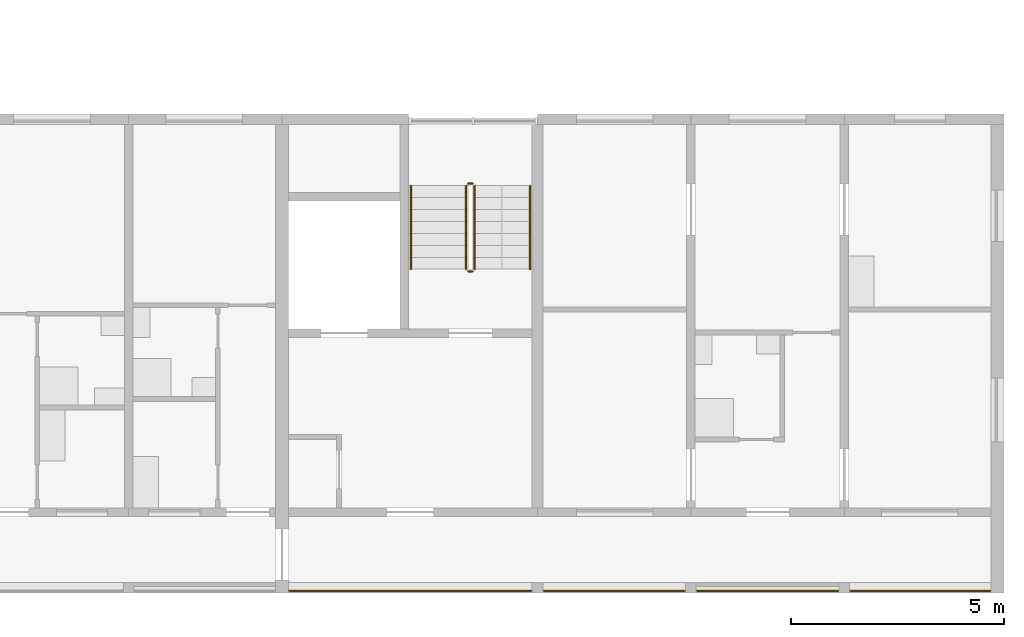
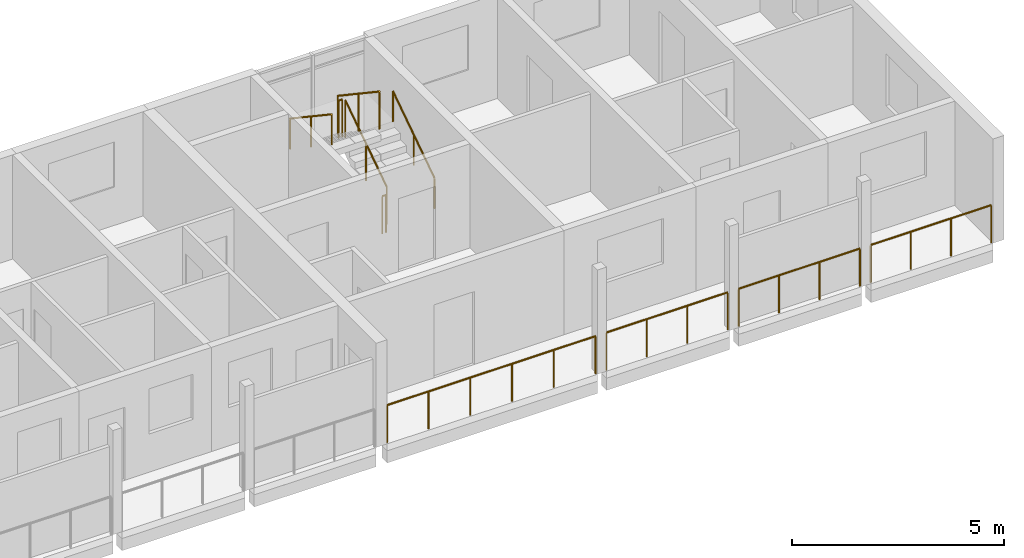
# One storey, part 74 of 78: 10 railings.
"""IFC4 building model written with IfcOpenShell, lengths in metres."""

from ifc_helpers import new_model, si_unit, direction, frame, origin, origin_2d, place, context, subcontext, project, spatial, circle, extrude, material, type_object, element, save


model = new_model("IFC4")

# Units and contexts
model_context = context("Model", 3, precision=1e-05, world=origin(), true_north=direction((0.0, 1.0)))
body_context = subcontext(model_context, "Body", "Model", "MODEL_VIEW")
ifc_project = project(units=[si_unit("LENGTHUNIT", "METRE"), si_unit("AREAUNIT", "SQUARE_METRE"), si_unit("VOLUMEUNIT", "CUBIC_METRE"), si_unit("PLANEANGLEUNIT", "RADIAN"), si_unit("MASSUNIT", "GRAM", prefix="KILO")], contexts=[model_context])

# Site, building, storey
site_placement = place(None, origin())
site = spatial("IfcSite", under=ifc_project, at=site_placement, CompositionType="ELEMENT")
building_placement = place(site_placement, origin())
building = spatial("IfcBuilding", under=site, at=building_placement, Name="Ridgestep Commons", CompositionType="ELEMENT")
storey_placement = place(building_placement, frame((0.0, 0.0, 30.0)))
storey = spatial("IfcBuildingStorey", under=building, at=storey_placement, Name="L10", CompositionType="ELEMENT", Elevation=30.0)

# Railings
ifc_material_1 = material(Name="Structural steel S355JR", Category="steel")
railing_type_1 = type_object("IfcRailingType", Name="Guard 1100", PredefinedType="GUARDRAIL", material=ifc_material_1)
railing_1_placement = place(storey_placement, frame((230.970947265625, 11.800048828125, 0.0)))
element("IfcRailing", 1, at=railing_1_placement, inside=storey, type_object=railing_type_1, Name="Gallery guard D 10.20", PredefinedType="GUARDRAIL", context=body_context, shape_type="SweptSolid", body=[
    extrude(circle(Radius=0.02392578125, at=origin_2d()), frame((0.0, 0.0, 1.076171875), z_axis=(1.0, 0.0, 0.0), x_axis=(0.0, 1.0, 0.0)), (0.0, 0.0, 1.0), 5.68310546875),
    extrude(circle(Radius=0.02099609375, at=origin_2d()), origin(), (0.0, 0.0, 1.0), 1.052001953125),
    extrude(circle(Radius=0.02099609375, at=origin_2d()), frame((1.13671875, 0.0, 0.0)), (0.0, 0.0, 1.0), 1.052001953125),
    extrude(circle(Radius=0.02099609375, at=origin_2d()), frame((2.273193359375, 0.0, 0.0)), (0.0, 0.0, 1.0), 1.052001953125),
    extrude(circle(Radius=0.02099609375, at=origin_2d()), frame((3.409912109375, 0.0, 0.0)), (0.0, 0.0, 1.0), 1.052001953125),
    extrude(circle(Radius=0.02099609375, at=origin_2d()), frame((4.54638671875, 0.0, 0.0)), (0.0, 0.0, 1.0), 1.052001953125),
    extrude(circle(Radius=0.02099609375, at=origin_2d()), frame((5.68310546875, 0.0, 0.0)), (0.0, 0.0, 1.0), 1.052001953125),
])
railing_2_placement = place(storey_placement, frame((236.946044921875, 11.800048828125, 0.0)))
element("IfcRailing", 2, at=railing_2_placement, inside=storey, type_object=railing_type_1, Name="Gallery guard D 10.21", PredefinedType="GUARDRAIL", context=body_context, shape_type="SweptSolid", body=[
    extrude(circle(Radius=0.02392578125, at=origin_2d()), frame((0.0, 0.0, 1.076171875), z_axis=(1.0, 0.0, 0.0), x_axis=(0.0, 1.0, 0.0)), (0.0, 0.0, 1.0), 3.307861328125),
    extrude(circle(Radius=0.02099609375, at=origin_2d()), origin(), (0.0, 0.0, 1.0), 1.052001953125),
    extrude(circle(Radius=0.02099609375, at=origin_2d()), frame((1.1025390625, 0.0, 0.0)), (0.0, 0.0, 1.0), 1.052001953125),
    extrude(circle(Radius=0.02099609375, at=origin_2d()), frame((2.205322265625, 0.0, 0.0)), (0.0, 0.0, 1.0), 1.052001953125),
    extrude(circle(Radius=0.02099609375, at=origin_2d()), frame((3.307861328125, 0.0, 0.0)), (0.0, 0.0, 1.0), 1.052001953125),
])
railing_3_placement = place(storey_placement, frame((240.5458984375, 11.800048828125, 0.0)))
element("IfcRailing", 3, at=railing_3_placement, inside=storey, type_object=railing_type_1, Name="Gallery guard D 10.22", PredefinedType="GUARDRAIL", context=body_context, shape_type="SweptSolid", body=[
    extrude(circle(Radius=0.02392578125, at=origin_2d()), frame((0.0, 0.0, 1.076171875), z_axis=(1.0, 0.0, 0.0), x_axis=(0.0, 1.0, 0.0)), (0.0, 0.0, 1.0), 3.30810546875),
    extrude(circle(Radius=0.02099609375, at=origin_2d()), origin(), (0.0, 0.0, 1.0), 1.052001953125),
    extrude(circle(Radius=0.02099609375, at=origin_2d()), frame((1.102783203125, 0.0, 0.0)), (0.0, 0.0, 1.0), 1.052001953125),
    extrude(circle(Radius=0.02099609375, at=origin_2d()), frame((2.205322265625, 0.0, 0.0)), (0.0, 0.0, 1.0), 1.052001953125),
    extrude(circle(Radius=0.02099609375, at=origin_2d()), frame((3.30810546875, 0.0, 0.0)), (0.0, 0.0, 1.0), 1.052001953125),
])
railing_4_placement = place(storey_placement, frame((244.14599609375, 11.800048828125, 0.0)))
element("IfcRailing", 4, at=railing_4_placement, inside=storey, type_object=railing_type_1, Name="Gallery guard D 10.23", PredefinedType="GUARDRAIL", context=body_context, shape_type="SweptSolid", body=[
    extrude(circle(Radius=0.02392578125, at=origin_2d()), frame((0.0, 0.0, 1.076171875), z_axis=(1.0, 0.0, 0.0), x_axis=(0.0, 1.0, 0.0)), (0.0, 0.0, 1.0), 3.282958984375),
    extrude(circle(Radius=0.02099609375, at=origin_2d()), origin(), (0.0, 0.0, 1.0), 1.052001953125),
    extrude(circle(Radius=0.02099609375, at=origin_2d()), frame((1.09423828125, 0.0, 0.0)), (0.0, 0.0, 1.0), 1.052001953125),
    extrude(circle(Radius=0.02099609375, at=origin_2d()), frame((2.188720703125, 0.0, 0.0)), (0.0, 0.0, 1.0), 1.052001953125),
    extrude(circle(Radius=0.02099609375, at=origin_2d()), frame((3.282958984375, 0.0, 0.0)), (0.0, 0.0, 1.0), 1.052001953125),
])
ifc_material_2 = material(Name="Structural steel S355JR", Category="steel")
railing_type_2 = type_object("IfcRailingType", Name="Stair guard 1100", PredefinedType="GUARDRAIL", material=ifc_material_2)
railing_5_placement = place(storey_placement, frame((235.324951171875, 19.35009765625, 0.1875)))
element("IfcRailing", 5, at=railing_5_placement, inside=storey, type_object=railing_type_2, Name="L10 D6C stair guard 1", PredefinedType="GUARDRAIL", context=body_context, shape_type="SweptSolid", body=[
    extrude(circle(Radius=0.02392578125, at=origin_2d()), frame((0.0, 0.0, 1.076171875), z_axis=(0.0, 0.830902050051, 0.556418712142), x_axis=(-1.0, 0.0, 0.0)), (0.0, 0.0, 1.0), 2.35888671875),
    extrude(circle(Radius=0.02099609375, at=origin_2d()), origin(), (0.0, 0.0, 1.0), 1.052001953125),
    extrude(circle(Radius=0.02099609375, at=origin_2d()), frame((0.0, 0.97998046875, 0.65625)), (0.0, 0.0, 1.0), 1.052001953125),
    extrude(circle(Radius=0.02099609375, at=origin_2d()), frame((0.0, 1.9599609375, 1.3125)), (0.0, 0.0, 1.0), 1.052001953125),
])
railing_6_placement = place(storey_placement, frame((235.27490234375, 21.360107421875, 1.5)))
element("IfcRailing", 6, at=railing_6_placement, inside=storey, type_object=railing_type_2, Name="L10 D6C stair guard 2", PredefinedType="GUARDRAIL", context=body_context, shape_type="SweptSolid", body=[
    extrude(circle(Radius=0.02392578125, at=origin_2d()), frame((0.0, 0.0, 1.076171875), z_axis=(-1.0, 0.0, 0.0), x_axis=(0.0, -1.0, 0.0)), (0.0, 0.0, 1.0), 0.099853515625),
    extrude(circle(Radius=0.02099609375, at=origin_2d()), origin(), (0.0, 0.0, 1.0), 1.052001953125),
    extrude(circle(Radius=0.02099609375, at=origin_2d()), frame((-0.099853515625, 0.0, 0.0)), (0.0, 0.0, 1.0), 1.052001953125),
])
railing_7_placement = place(storey_placement, frame((235.125, 21.31005859375, 1.6875)))
element("IfcRailing", 7, at=railing_7_placement, inside=storey, type_object=railing_type_2, Name="L10 D6C stair guard 3", PredefinedType="GUARDRAIL", context=body_context, shape_type="SweptSolid", body=[
    extrude(circle(Radius=0.02392578125, at=origin_2d()), frame((0.0, 0.0, 1.076171875), z_axis=(0.0, -0.830902050051, 0.556418712142), x_axis=(1.0, 0.0, 0.0)), (0.0, 0.0, 1.0), 2.35888671875),
    extrude(circle(Radius=0.02099609375, at=origin_2d()), origin(), (0.0, 0.0, 1.0), 1.052001953125),
    extrude(circle(Radius=0.02099609375, at=origin_2d()), frame((0.0, -0.97998046875, 0.65625)), (0.0, 0.0, 1.0), 1.052001953125),
    extrude(circle(Radius=0.02099609375, at=origin_2d()), frame((0.0, -1.9599609375, 1.3125)), (0.0, 0.0, 1.0), 1.052001953125),
])
railing_8_placement = place(storey_placement, frame((235.27490234375, 19.300048828125, 0.0)))
element("IfcRailing", 8, at=railing_8_placement, inside=storey, type_object=railing_type_2, Name="L10 D6C stair guard 4", PredefinedType="GUARDRAIL", context=body_context, shape_type="SweptSolid", body=[
    extrude(circle(Radius=0.02392578125, at=origin_2d()), frame((0.0, 0.0, 1.076171875), z_axis=(-1.0, 0.0, 0.0), x_axis=(0.0, -1.0, 0.0)), (0.0, 0.0, 1.0), 0.099853515625),
    extrude(circle(Radius=0.02099609375, at=origin_2d()), origin(), (0.0, 0.0, 1.0), 1.052001953125),
    extrude(circle(Radius=0.02099609375, at=origin_2d()), frame((-0.099853515625, 0.0, 0.0)), (0.0, 0.0, 1.0), 1.052001953125),
])
ifc_material_3 = material(Name="Structural steel S355JR", Category="steel")
railing_type_3 = type_object("IfcRailingType", Name="Stair handrail 900", PredefinedType="HANDRAIL", material=ifc_material_3)
railing_9_placement = place(storey_placement, frame((236.625, 19.35009765625, 0.1875)))
element("IfcRailing", 9, at=railing_9_placement, inside=storey, type_object=railing_type_3, Name="L10 D6C stair handrail 1", PredefinedType="HANDRAIL", context=body_context, shape_type="SweptSolid", body=[
    extrude(circle(Radius=0.02392578125, at=origin_2d()), frame((0.0, 0.0, 0.8759765625), z_axis=(0.0, 0.830902050051, 0.556418712142), x_axis=(-1.0, 0.0, 0.0)), (0.0, 0.0, 1.0), 2.35888671875),
    extrude(circle(Radius=0.02099609375, at=origin_2d()), origin(), (0.0, 0.0, 1.0), 0.851806640625),
    extrude(circle(Radius=0.02099609375, at=origin_2d()), frame((0.0, 0.97998046875, 0.65625)), (0.0, 0.0, 1.0), 0.851806640625),
    extrude(circle(Radius=0.02099609375, at=origin_2d()), frame((0.0, 1.9599609375, 1.3125)), (0.0, 0.0, 1.0), 0.851806640625),
])
railing_10_placement = place(storey_placement, frame((233.824951171875, 21.31005859375, 1.6875)))
element("IfcRailing", 10, at=railing_10_placement, inside=storey, type_object=railing_type_3, Name="L10 D6C stair handrail 2", PredefinedType="HANDRAIL", context=body_context, shape_type="SweptSolid", body=[
    extrude(circle(Radius=0.02392578125, at=origin_2d()), frame((0.0, 0.0, 0.8759765625), z_axis=(0.0, -0.830902050051, 0.556418712142), x_axis=(1.0, 0.0, 0.0)), (0.0, 0.0, 1.0), 2.35888671875),
    extrude(circle(Radius=0.02099609375, at=origin_2d()), origin(), (0.0, 0.0, 1.0), 0.851806640625),
    extrude(circle(Radius=0.02099609375, at=origin_2d()), frame((0.0, -0.97998046875, 0.65625)), (0.0, 0.0, 1.0), 0.851806640625),
    extrude(circle(Radius=0.02099609375, at=origin_2d()), frame((0.0, -1.9599609375, 1.3125)), (0.0, 0.0, 1.0), 0.851806640625),
])

save(model, "model.ifc")
